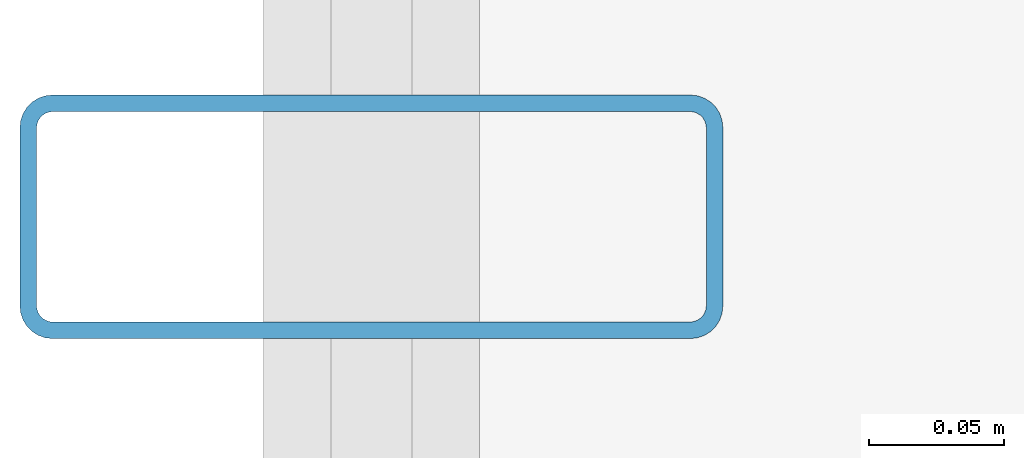
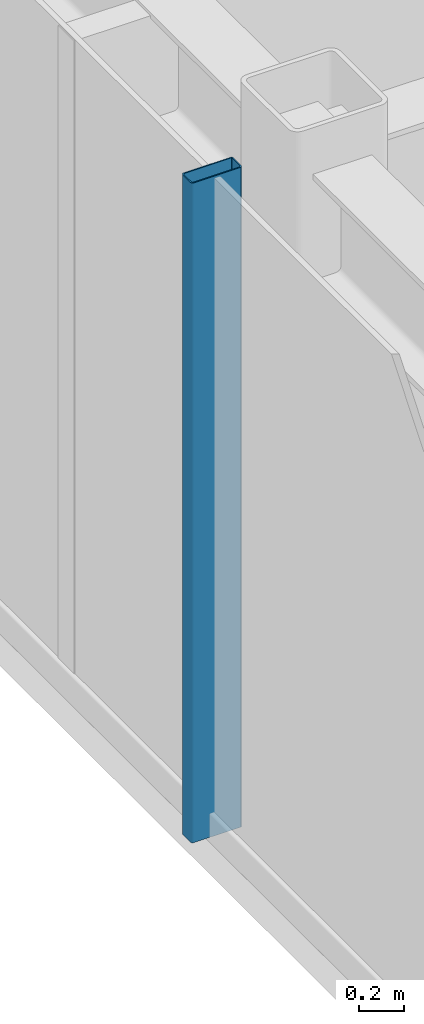
# One storey, part 4 of 18: 1 member, 1 element without a shape of its own.
"""IFC4 building model written with IfcOpenShell, lengths in metres."""

from ifc_helpers import new_model, si_unit, direction, frame, origin, origin_2d, place, context, subcontext, project, spatial, hollow_rectangle, extrude, source, transform, mapped, material, layer, layer_set, material_profile, profile_set, type_object, element, aggregate, save


model = new_model("IFC4")

# Units and contexts
model_context = context("Model", 3, precision=1e-05, world=origin(), true_north=direction((0.0, 1.0)))
body_context = subcontext(model_context, "Body", "Model", "MODEL_VIEW")
ifc_project = project(units=[si_unit("LENGTHUNIT", "METRE"), si_unit("AREAUNIT", "SQUARE_METRE"), si_unit("VOLUMEUNIT", "CUBIC_METRE"), si_unit("PLANEANGLEUNIT", "RADIAN"), si_unit("MASSUNIT", "GRAM", prefix="KILO")], contexts=[model_context])

# Site, building, storey
site_placement = place(None, origin())
site = spatial("IfcSite", under=ifc_project, at=site_placement, CompositionType="ELEMENT")
building_placement = place(site_placement, origin())
building = spatial("IfcBuilding", under=site, at=building_placement, Name="Nefas-Gora Pilgrimage Tower", CompositionType="ELEMENT")
storey_placement = place(building_placement, frame((0.0, 0.0, 295.0)))
storey = spatial("IfcBuildingStorey", under=building, at=storey_placement, Name="L74", CompositionType="ELEMENT", Elevation=295.0)

# Curtain wall, member
ifc_material_1 = material(Name="Dark ceramic-fritted solar-control aluminium-glass curtain wall", Category="aluminium")
ifc_layer = layer(ifc_material_1, 0.219970703125)
ifc_layer_set = layer_set([ifc_layer], Name="Dark ceramic-fritted solar-control aluminium-glass curtain wall")
curtain_wall_type = type_object("IfcCurtainWallType", Name="CW-SYS-4", PredefinedType="NOTDEFINED", material=ifc_layer_set)
curtain_wall_placement = place(storey_placement, origin())
curtain_wall = element("IfcCurtainWall", 1, at=curtain_wall_placement, inside=storey, type_object=curtain_wall_type, Name="L74 Unitised Curtain Wall CW4", PredefinedType="NOTDEFINED")
ifc_material_2 = material(Name="Anodised architectural aluminium", Category="aluminium")
ifc_material_profile = material_profile(ifc_material_2, hollow_rectangle(XDim=0.090087890625, YDim=0.260009765625, WallThickness=0.006103515625, InnerFilletRadius=0.006103515625, OuterFilletRadius=0.011962890625, at=origin_2d()), Name="ALU MULLION 90x260")
ifc_profile_set = profile_set([ifc_material_profile], Name="Anodised architectural aluminium")
member_type = type_object("IfcMemberType", Name="CWM-MUL-4", PredefinedType="MULLION", material=ifc_profile_set)
shared_shape = source(origin(), body_context, "Body", "SweptSolid", [
    extrude(hollow_rectangle(XDim=0.090087890625, YDim=0.260009765625, WallThickness=0.006103515625, InnerFilletRadius=0.006103515625, OuterFilletRadius=0.011962890625, at=origin_2d()), origin(), (0.0, 0.0, 1.0), 3.550048828125),
])
member_placement = place(storey_placement, frame((-25.27001953125, 0.0, 0.0), z_axis=(0.0, 0.0, 1.0), x_axis=(0.0, -1.0, 0.0)))
member = element("IfcMember", 2, at=member_placement, type_object=member_type, Name="CW4 Mullion 2", PredefinedType="MULLION", context=body_context, shape_type="MappedRepresentation", body=[
    mapped(shared_shape, transform((0.0, 0.0, 0.0), x_axis=(1.0, 0.0, 0.0), y_axis=(0.0, 1.0, 0.0), z_axis=(0.0, 0.0, 1.0), scale=1.0)),
])
aggregate(curtain_wall, [member])

save(model, "model.ifc")
